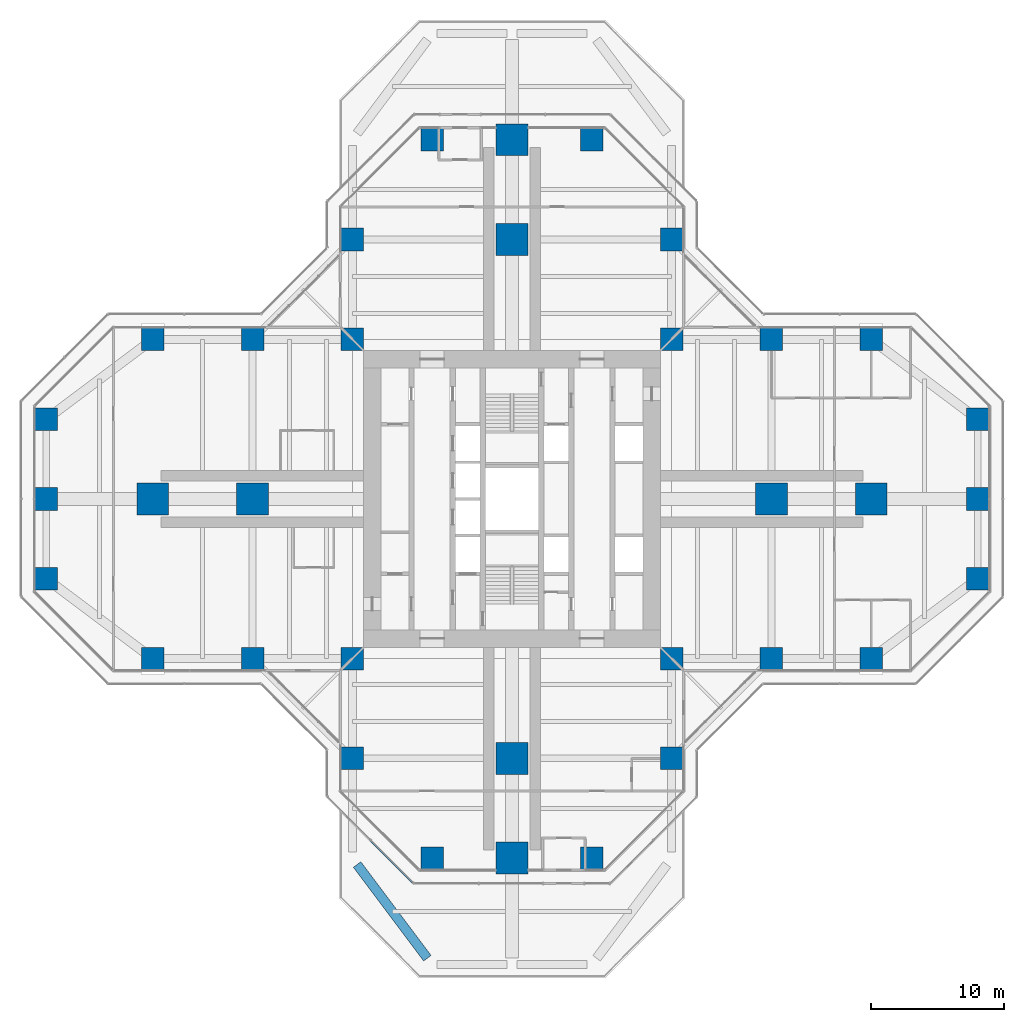
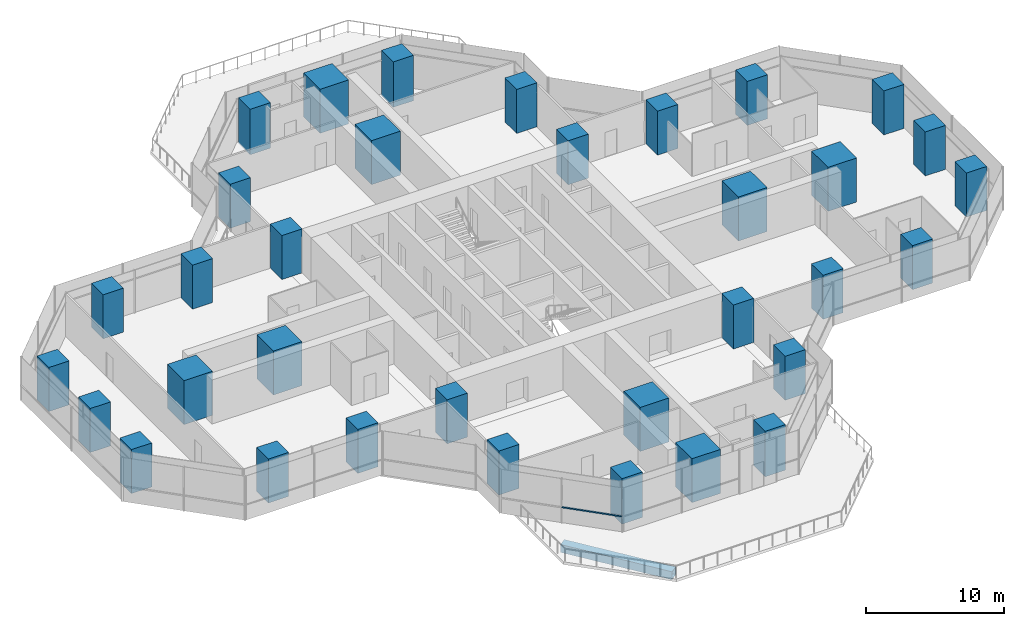
# One storey, part 1 of 21: 34 columns, 1 beam, 1 member, 1 element without a shape of its own.
"""IFC4 building model written with IfcOpenShell, lengths in metres."""

from ifc_helpers import new_model, si_unit, direction, frame, origin, origin_2d, place, context, subcontext, project, spatial, rectangle, hollow_rectangle, extrude, material, material_profile, profile_set, type_object, element, aggregate, save


model = new_model("IFC4")

# Units and contexts
model_context = context("Model", 3, precision=1e-05, world=origin(), true_north=direction((0.0, 1.0)))
body_context = subcontext(model_context, "Body", "Model", "MODEL_VIEW")
ifc_project = project(units=[si_unit("LENGTHUNIT", "METRE"), si_unit("AREAUNIT", "SQUARE_METRE"), si_unit("VOLUMEUNIT", "CUBIC_METRE"), si_unit("PLANEANGLEUNIT", "RADIAN"), si_unit("MASSUNIT", "GRAM", prefix="KILO")], contexts=[model_context])

# Site, building, storey
site_placement = place(None, origin())
site = spatial("IfcSite", under=ifc_project, at=site_placement, CompositionType="ELEMENT")
building_placement = place(site_placement, origin())
building = spatial("IfcBuilding", under=site, at=building_placement, Name="Mizan Broadcast Tower", CompositionType="ELEMENT")
storey_placement = place(building_placement, frame((0.0, 0.0, 124.199951171875)))
storey = spatial("IfcBuildingStorey", under=building, at=storey_placement, Name="L27", CompositionType="ELEMENT", Elevation=124.199951171875)

# Columns
ifc_material_1 = material(Name="Concrete C70/85", Category="concrete")
ifc_material_profile_1 = material_profile(ifc_material_1, rectangle(XDim=1.699951171875, YDim=1.699951171875, at=origin_2d()), Name="RC 1700x1700")
ifc_profile_set_1 = profile_set([ifc_material_profile_1], Name="Concrete C70/85")
column_type_1 = type_object("IfcColumnType", Name="RC COLUMN 1700x1700 C70/85", PredefinedType="COLUMN", material=ifc_profile_set_1)
for number, where, z_axis, x_axis, name in (
    (1, (-6.0, -27.0, -0.1298828125), (0.0, 0.0, 1.0), (1.0, 0.0, 0.0), "Column 5/B L27"),
    (2, (6.0, -27.0, -0.1298828125), (0.0, 0.0, 1.0), (1.0, 0.0, 0.0), "Column 7/B L27"),
):
    element("IfcColumn", number, at=place(storey_placement, frame(where, z_axis=z_axis, x_axis=x_axis)), inside=storey, type_object=column_type_1, Name=name, PredefinedType="COLUMN", context=body_context, shape_type="SweptSolid", body=[
        extrude(rectangle(XDim=1.699951171875, YDim=1.699951171875, at=origin_2d()), origin(), (0.0, 0.0, 1.0), 4.030029296875),
    ])
for number, where, z_axis, x_axis, name in (
    (3, (-12.0, -19.5, 0.0), (0.0, 0.0, 1.0), (1.0, 0.0, 0.0), "Column 4/C L27"),
    (4, (12.0, -19.5, 0.0), (0.0, 0.0, 1.0), (1.0, 0.0, 0.0), "Column 8/C L27"),
    (5, (-27.0, -12.0, 0.0), (0.0, 0.0, 1.0), (1.0, 0.0, 0.0), "Column 2/D L27"),
    (6, (-19.5, -12.0, 0.0), (0.0, 0.0, 1.0), (1.0, 0.0, 0.0), "Column 3/D L27"),
    (7, (-12.0, -12.0, 0.0), (0.0, 0.0, 1.0), (1.0, 0.0, 0.0), "Column 4/D L27"),
    (8, (12.0, -12.0, 0.0), (0.0, 0.0, 1.0), (1.0, 0.0, 0.0), "Column 8/D L27"),
    (9, (19.5, -12.0, 0.0), (0.0, 0.0, 1.0), (1.0, 0.0, 0.0), "Column 9/D L27"),
    (10, (27.0, -12.0, 0.0), (0.0, 0.0, 1.0), (1.0, 0.0, 0.0), "Column 10/D L27"),
    (11, (-35.0, -6.0, 0.0), (0.0, 0.0, 1.0), (1.0, 0.0, 0.0), "Column 1/E L27"),
    (12, (35.0, -6.0, 0.0), (0.0, 0.0, 1.0), (1.0, 0.0, 0.0), "Column 11/E L27"),
    (13, (-35.0, 0.0, 0.0), (0.0, 0.0, 1.0), (1.0, 0.0, 0.0), "Column 1/F L27"),
    (14, (35.0, 0.0, 0.0), (0.0, 0.0, 1.0), (1.0, 0.0, 0.0), "Column 11/F L27"),
    (15, (-35.0, 6.0, 0.0), (0.0, 0.0, 1.0), (1.0, 0.0, 0.0), "Column 1/G L27"),
    (16, (35.0, 6.0, 0.0), (0.0, 0.0, 1.0), (1.0, 0.0, 0.0), "Column 11/G L27"),
    (17, (-27.0, 12.0, 0.0), (0.0, 0.0, 1.0), (1.0, 0.0, 0.0), "Column 2/H L27"),
    (18, (-19.5, 12.0, 0.0), (0.0, 0.0, 1.0), (1.0, 0.0, 0.0), "Column 3/H L27"),
    (19, (-12.0, 12.0, 0.0), (0.0, 0.0, 1.0), (1.0, 0.0, 0.0), "Column 4/H L27"),
    (20, (12.0, 12.0, 0.0), (0.0, 0.0, 1.0), (1.0, 0.0, 0.0), "Column 8/H L27"),
    (21, (19.5, 12.0, 0.0), (0.0, 0.0, 1.0), (1.0, 0.0, 0.0), "Column 9/H L27"),
    (22, (27.0, 12.0, 0.0), (0.0, 0.0, 1.0), (1.0, 0.0, 0.0), "Column 10/H L27"),
    (23, (-12.0, 19.5, 0.0), (0.0, 0.0, 1.0), (1.0, 0.0, 0.0), "Column 4/J L27"),
    (24, (12.0, 19.5, 0.0), (0.0, 0.0, 1.0), (1.0, 0.0, 0.0), "Column 8/J L27"),
):
    element("IfcColumn", number, at=place(storey_placement, frame(where, z_axis=z_axis, x_axis=x_axis)), inside=storey, type_object=column_type_1, Name=name, PredefinedType="COLUMN", context=body_context, shape_type="SweptSolid", body=[
        extrude(rectangle(XDim=1.699951171875, YDim=1.699951171875, at=origin_2d()), origin(), (0.0, 0.0, 1.0), 3.900146484375),
    ])
for number, where, z_axis, x_axis, name in (
    (25, (-6.0, 27.0, -0.1298828125), (0.0, 0.0, 1.0), (1.0, 0.0, 0.0), "Column 5/K L27"),
    (26, (6.0, 27.0, -0.1298828125), (0.0, 0.0, 1.0), (1.0, 0.0, 0.0), "Column 7/K L27"),
):
    element("IfcColumn", number, at=place(storey_placement, frame(where, z_axis=z_axis, x_axis=x_axis)), inside=storey, type_object=column_type_1, Name=name, PredefinedType="COLUMN", context=body_context, shape_type="SweptSolid", body=[
        extrude(rectangle(XDim=1.699951171875, YDim=1.699951171875, at=origin_2d()), origin(), (0.0, 0.0, 1.0), 4.030029296875),
    ])
ifc_material_2 = material(Name="Concrete C70/85", Category="concrete")
ifc_material_profile_2 = material_profile(ifc_material_2, rectangle(XDim=2.39990234375, YDim=2.39990234375, at=origin_2d()), Name="RC 2400x2400")
ifc_profile_set_2 = profile_set([ifc_material_profile_2], Name="Concrete C70/85")
column_type_2 = type_object("IfcColumnType", Name="RC COLUMN 2400x2400 C70/85", PredefinedType="COLUMN", material=ifc_profile_set_2)
for number, where, z_axis, x_axis, name in (
    (27, (0.0, -27.0, 0.0), (0.0, 0.0, 1.0), (1.0, 0.0, 0.0), "Column 6/B L27"),
    (28, (0.0, -19.5, 0.0), (0.0, 0.0, 1.0), (1.0, 0.0, 0.0), "Column 6/C L27"),
    (29, (-27.0, 0.0, 0.0), (0.0, 0.0, 1.0), (1.0, 0.0, 0.0), "Column 2/F L27"),
    (30, (-19.5, 0.0, 0.0), (0.0, 0.0, 1.0), (1.0, 0.0, 0.0), "Column 3/F L27"),
    (31, (19.5, 0.0, 0.0), (0.0, 0.0, 1.0), (1.0, 0.0, 0.0), "Column 9/F L27"),
    (32, (27.0, 0.0, 0.0), (0.0, 0.0, 1.0), (1.0, 0.0, 0.0), "Column 10/F L27"),
    (33, (0.0, 19.5, 0.0), (0.0, 0.0, 1.0), (1.0, 0.0, 0.0), "Column 6/J L27"),
    (34, (0.0, 27.0, 0.0), (0.0, 0.0, 1.0), (1.0, 0.0, 0.0), "Column 6/K L27"),
):
    element("IfcColumn", number, at=place(storey_placement, frame(where, z_axis=z_axis, x_axis=x_axis)), inside=storey, type_object=column_type_2, Name=name, PredefinedType="COLUMN", context=body_context, shape_type="SweptSolid", body=[
        extrude(rectangle(XDim=2.39990234375, YDim=2.39990234375, at=origin_2d()), origin(), (0.0, 0.0, 1.0), 3.900146484375),
    ])

# Beam
ifc_material_3 = material(Name="Steel S355", Category="steel")
ifc_material_profile_3 = material_profile(ifc_material_3, hollow_rectangle(XDim=0.699951171875, YDim=0.699951171875, WallThickness=0.0400390625, at=origin_2d()), Name="BOX 700x700x40")
ifc_profile_set_3 = profile_set([ifc_material_profile_3], Name="Steel S355")
beam_type = type_object("IfcBeamType", Name="EDGE BEAM BOX 700x700x40", PredefinedType="SPANDREL", material=ifc_profile_set_3)
beam_placement = place(storey_placement, frame((-11.639892578125, -27.47998046875, -0.599853515625), z_axis=(0.599982243973, -0.800013316712, 0.0), x_axis=(0.800013316712, 0.599982243973, 0.0)))
element("IfcBeam", 35, at=beam_placement, inside=storey, type_object=beam_type, Name="Edge beam BOX 700x700x40 L27 south arm", PredefinedType="SPANDREL", context=body_context, shape_type="SweptSolid", body=[
    extrude(hollow_rectangle(XDim=0.699951171875, YDim=0.699951171875, WallThickness=0.0400390625, at=origin_2d()), origin(), (0.0, 0.0, 1.0), 8.7998046875),
])

# Curtain wall, member
ifc_material_4 = material(Name="Aluminium framed glazing", Category="aluminium")
curtain_wall_type = type_object("IfcCurtainWallType", Name="OUTER SKIN", PredefinedType="USERDEFINED", material=ifc_material_4)
curtain_wall_placement = place(storey_placement, origin())
curtain_wall = element("IfcCurtainWall", 36, at=curtain_wall_placement, inside=storey, type_object=curtain_wall_type, Name="Outer skin L27 S chamfer", ObjectType="OUTER SKIN", PredefinedType="USERDEFINED")
ifc_material_5 = material(Name="Aluminium, pale anodised", Category="aluminium")
ifc_material_profile_4 = material_profile(ifc_material_5, rectangle(XDim=0.159912109375, YDim=0.06005859375, at=origin_2d()), Name="TRANSOM 160x60")
ifc_profile_set_4 = profile_set([ifc_material_profile_4], Name="Aluminium, pale anodised")
member_type = type_object("IfcMemberType", Name="OUTER SKIN TRANSOM 60x160", PredefinedType="USERDEFINED", material=ifc_profile_set_4)
member_placement = place(storey_placement, frame((-10.608154296875, -25.664794921875, 1.400146484375), z_axis=(0.707106781187, -0.707106781187, 0.0), x_axis=(0.707106781187, 0.707106781187, 0.0)))
member = element("IfcMember", 37, at=member_placement, type_object=member_type, Name="Outer skin L27 S chamfer transom 2.1", ObjectType="TRANSOM", PredefinedType="USERDEFINED", context=body_context, shape_type="SweptSolid", body=[
    extrude(rectangle(XDim=0.159912109375, YDim=0.06005859375, at=origin_2d()), origin(), (0.0, 0.0, 1.0), 4.495361328125),
])
aggregate(curtain_wall, [member])

save(model, "model.ifc")
